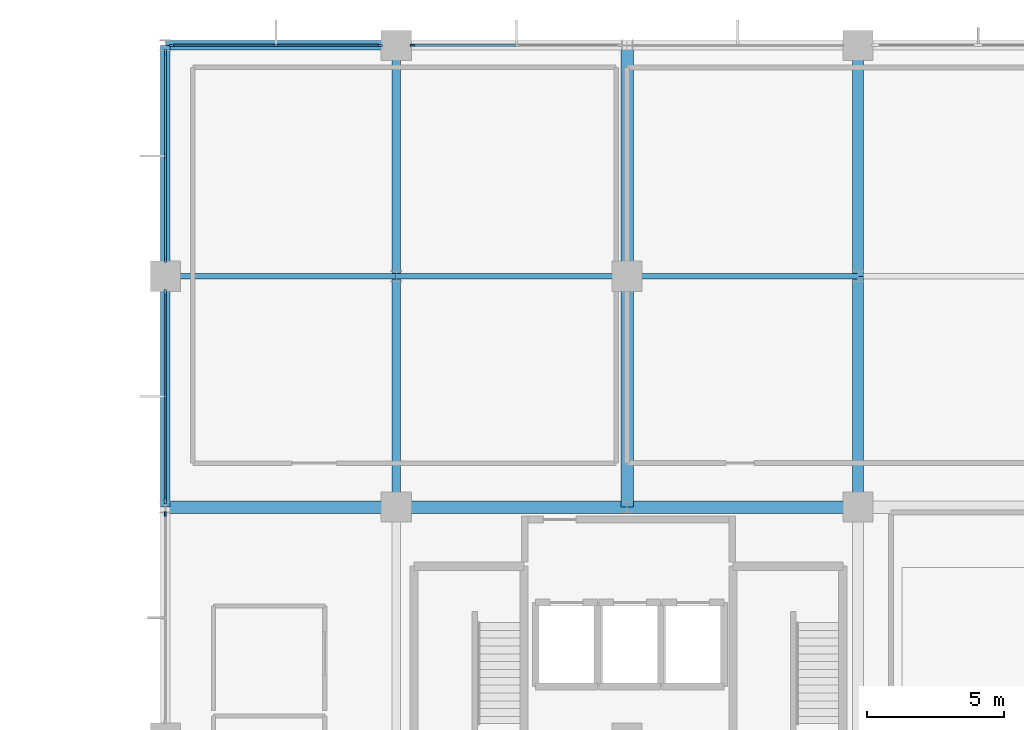
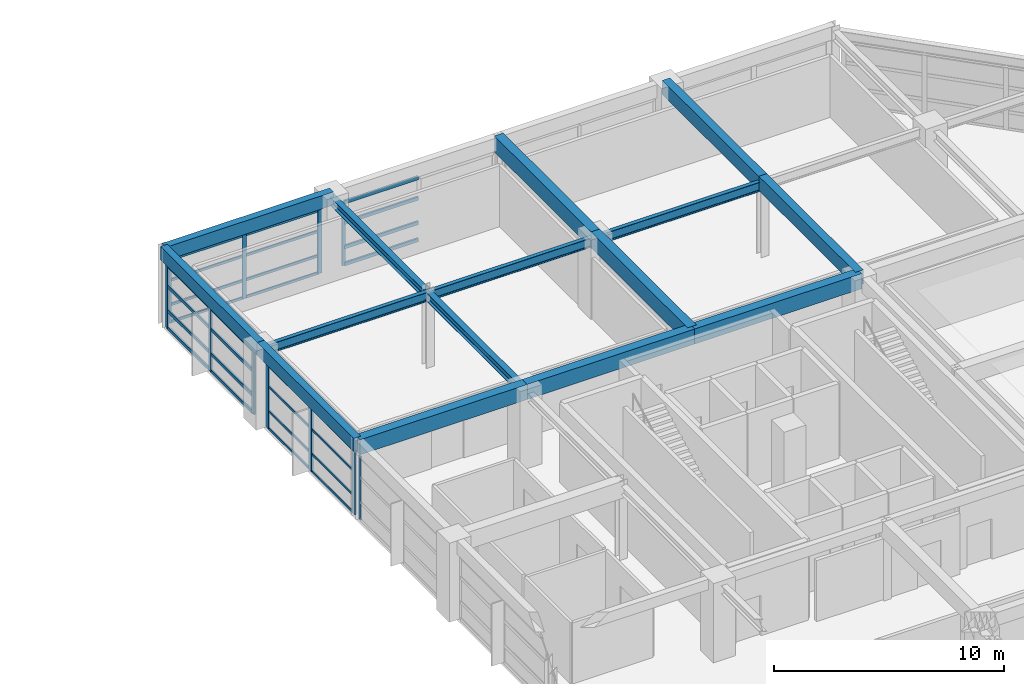
# One storey, part 9 of 18: 39 members, 15 beams, 5 elements without a shape of their own.
"""IFC4 building model written with IfcOpenShell, lengths in metres."""

from ifc_helpers import new_model, si_unit, direction, frame, origin, origin_2d, place, context, subcontext, project, spatial, rectangle, i_section, extrude, material, material_profile, profile_set, type_object, element, aggregate, save


model = new_model("IFC4")

# Units and contexts
model_context = context("Model", 3, precision=1e-05, world=origin(), true_north=direction((0.0, 1.0)))
body_context = subcontext(model_context, "Body", "Model", "MODEL_VIEW")
ifc_project = project(units=[si_unit("LENGTHUNIT", "METRE"), si_unit("AREAUNIT", "SQUARE_METRE"), si_unit("VOLUMEUNIT", "CUBIC_METRE"), si_unit("PLANEANGLEUNIT", "RADIAN"), si_unit("MASSUNIT", "GRAM", prefix="KILO")], contexts=[model_context])

# Site, building, storey
site_placement = place(None, origin())
site = spatial("IfcSite", under=ifc_project, at=site_placement, CompositionType="ELEMENT")
building_placement = place(site_placement, origin())
building = spatial("IfcBuilding", under=site, at=building_placement, Name="Xuanlan Plaza Opera House", CompositionType="ELEMENT")
storey_placement = place(building_placement, frame((0.0, 0.0, 32.10009765625)))
storey = spatial("IfcBuildingStorey", under=building, at=storey_placement, Name="L07", CompositionType="ELEMENT", Elevation=32.10009765625)

# Curtain wall, member
ifc_material_1 = material(Name="Anodised Aluminium 6063-T6 and Low-E Glass", Category="aluminium")
curtain_wall_type_1 = type_object("IfcCurtainWallType", Name="ENV-CW-CW-02", PredefinedType="USERDEFINED", material=ifc_material_1)
curtain_wall_1_placement = place(storey_placement, origin())
curtain_wall_1 = element("IfcCurtainWall", 1, at=curtain_wall_1_placement, inside=storey, type_object=curtain_wall_type_1, Name="Unitised Curtain Wall L07-017", ObjectType="UNITISED CURTAIN WALL", PredefinedType="USERDEFINED")
ifc_material_2 = material(Name="Anodised Aluminium 6063-T6", Category="aluminium")
ifc_material_profile_1 = material_profile(ifc_material_2, rectangle(XDim=0.06494140625, YDim=0.159912109375, at=origin_2d()), Name="ALU-M 65x160")
ifc_profile_set_1 = profile_set([ifc_material_profile_1], Name="Anodised Aluminium 6063-T6")
member_type_1 = type_object("IfcMemberType", Name="ENV-CWM-01", PredefinedType="MULLION", material=ifc_profile_set_1)
member_1_placement = place(storey_placement, frame((126.0, 66.947509765625, 0.0), z_axis=(0.0, 0.0, 1.0), x_axis=(1.0, 0.0, 0.0)))
member_1 = element("IfcMember", 2, at=member_1_placement, type_object=member_type_1, Name="CW-02 mullion 1", PredefinedType="MULLION", context=body_context, shape_type="SweptSolid", body=[
    extrude(rectangle(XDim=0.06494140625, YDim=0.159912109375, at=origin_2d()), origin(), (0.0, 0.0, 1.0), 3.3798828125),
])
aggregate(curtain_wall_1, [member_1])

curtain_wall_2_placement = place(storey_placement, origin())
curtain_wall_2 = element("IfcCurtainWall", 3, at=curtain_wall_2_placement, inside=storey, type_object=curtain_wall_type_1, Name="Unitised Curtain Wall L07-013", ObjectType="UNITISED CURTAIN WALL", PredefinedType="USERDEFINED")
ifc_material_profile_2 = material_profile(ifc_material_2, rectangle(XDim=0.070068359375, YDim=0.179931640625, at=origin_2d()), Name="ALU-M 70x180")
ifc_profile_set_2 = profile_set([ifc_material_profile_2], Name="Anodised Aluminium 6063-T6")
member_type_2 = type_object("IfcMemberType", Name="ENV-CWM-02", PredefinedType="MULLION", material=ifc_profile_set_2)
member_2_placement = place(storey_placement, frame((135.0048828125, 84.0, 0.0), z_axis=(0.0, 0.0, 1.0), x_axis=(0.0, -1.0, 0.0)))
member_2 = element("IfcMember", 4, at=member_2_placement, type_object=member_type_2, Name="CW-02 mullion 3", PredefinedType="MULLION", context=body_context, shape_type="SweptSolid", body=[
    extrude(rectangle(XDim=0.070068359375, YDim=0.179931640625, at=origin_2d()), origin(), (0.0, 0.0, 1.0), 3.3798828125),
])

# Curtain wall, members
curtain_wall_type_2 = type_object("IfcCurtainWallType", Name="ENV-CW-CW-03", PredefinedType="USERDEFINED", material=ifc_material_1)
curtain_wall_3_placement = place(storey_placement, origin())
curtain_wall_3 = element("IfcCurtainWall", 5, at=curtain_wall_3_placement, inside=storey, type_object=curtain_wall_type_2, Name="Unitised Curtain Wall L07-014", ObjectType="UNITISED CURTAIN WALL", PredefinedType="USERDEFINED")
ifc_material_profile_3 = material_profile(ifc_material_2, rectangle(XDim=0.074951171875, YDim=0.199951171875, at=origin_2d()), Name="ALU-M 75x200")
ifc_profile_set_3 = profile_set([ifc_material_profile_3], Name="Anodised Aluminium 6063-T6")
member_type_3 = type_object("IfcMemberType", Name="ENV-CWM-03", PredefinedType="MULLION", material=ifc_profile_set_3)
member_3_placement = place(storey_placement, frame((133.79248046875, 84.0, 0.0), z_axis=(0.0, 0.0, 1.0), x_axis=(0.0, -1.0, 0.0)))
member_3 = element("IfcMember", 6, at=member_3_placement, type_object=member_type_3, Name="CW-03 mullion 1", PredefinedType="MULLION", context=body_context, shape_type="SweptSolid", body=[
    extrude(rectangle(XDim=0.074951171875, YDim=0.199951171875, at=origin_2d()), origin(), (0.0, 0.0, 1.0), 3.3798828125),
])
member_4_placement = place(storey_placement, frame((130.02490234375, 84.0, 0.0), z_axis=(0.0, 0.0, 1.0), x_axis=(0.0, -1.0, 0.0)))
member_4 = element("IfcMember", 7, at=member_4_placement, type_object=member_type_3, Name="CW-03 mullion 2", PredefinedType="MULLION", context=body_context, shape_type="SweptSolid", body=[
    extrude(rectangle(XDim=0.074951171875, YDim=0.199951171875, at=origin_2d()), origin(), (0.0, 0.0, 1.0), 3.3798828125),
])
member_5_placement = place(storey_placement, frame((126.257568359375, 84.0, 0.0), z_axis=(0.0, 0.0, 1.0), x_axis=(0.0, -1.0, 0.0)))
member_5 = element("IfcMember", 8, at=member_5_placement, type_object=member_type_3, Name="CW-03 mullion 3", PredefinedType="MULLION", context=body_context, shape_type="SweptSolid", body=[
    extrude(rectangle(XDim=0.074951171875, YDim=0.199951171875, at=origin_2d()), origin(), (0.0, 0.0, 1.0), 3.3798828125),
])

curtain_wall_type_3 = type_object("IfcCurtainWallType", Name="ENV-CW-CW-04", PredefinedType="USERDEFINED", material=ifc_material_1)
curtain_wall_4_placement = place(storey_placement, origin())
curtain_wall_4 = element("IfcCurtainWall", 9, at=curtain_wall_4_placement, inside=storey, type_object=curtain_wall_type_3, Name="Unitised Curtain Wall L07-015", ObjectType="UNITISED CURTAIN WALL", PredefinedType="USERDEFINED")
ifc_material_profile_4 = material_profile(ifc_material_2, rectangle(XDim=0.080078125, YDim=0.219970703125, at=origin_2d()), Name="ALU-M 80x220")
ifc_profile_set_4 = profile_set([ifc_material_profile_4], Name="Anodised Aluminium 6063-T6")
member_type_4 = type_object("IfcMemberType", Name="ENV-CWM-04", PredefinedType="MULLION", material=ifc_profile_set_4)
member_6_placement = place(storey_placement, frame((126.0, 83.739990234375, 0.0), z_axis=(0.0, 0.0, 1.0), x_axis=(1.0, 0.0, 0.0)))
member_6 = element("IfcMember", 10, at=member_6_placement, type_object=member_type_4, Name="CW-04 mullion 1", PredefinedType="MULLION", context=body_context, shape_type="SweptSolid", body=[
    extrude(rectangle(XDim=0.080078125, YDim=0.219970703125, at=origin_2d()), origin(), (0.0, 0.0, 1.0), 3.3798828125),
])
member_7_placement = place(storey_placement, frame((126.0, 79.97509765625, 0.0), z_axis=(0.0, 0.0, 1.0), x_axis=(1.0, 0.0, 0.0)))
member_7 = element("IfcMember", 11, at=member_7_placement, type_object=member_type_4, Name="CW-04 mullion 2", PredefinedType="MULLION", context=body_context, shape_type="SweptSolid", body=[
    extrude(rectangle(XDim=0.080078125, YDim=0.219970703125, at=origin_2d()), origin(), (0.0, 0.0, 1.0), 3.3798828125),
])
member_8_placement = place(storey_placement, frame((126.0, 76.2099609375, 0.0), z_axis=(0.0, 0.0, 1.0), x_axis=(1.0, 0.0, 0.0)))
member_8 = element("IfcMember", 12, at=member_8_placement, type_object=member_type_4, Name="CW-04 mullion 3", PredefinedType="MULLION", context=body_context, shape_type="SweptSolid", body=[
    extrude(rectangle(XDim=0.080078125, YDim=0.219970703125, at=origin_2d()), origin(), (0.0, 0.0, 1.0), 3.3798828125),
])

curtain_wall_type_4 = type_object("IfcCurtainWallType", Name="ENV-CW-CW-01", PredefinedType="USERDEFINED", material=ifc_material_1)
curtain_wall_5_placement = place(storey_placement, origin())
curtain_wall_5 = element("IfcCurtainWall", 13, at=curtain_wall_5_placement, inside=storey, type_object=curtain_wall_type_4, Name="Unitised Curtain Wall L07-016", ObjectType="UNITISED CURTAIN WALL", PredefinedType="USERDEFINED")
ifc_material_profile_5 = material_profile(ifc_material_2, rectangle(XDim=0.090087890625, YDim=0.25, at=origin_2d()), Name="ALU-M 90x250")
ifc_profile_set_5 = profile_set([ifc_material_profile_5], Name="Anodised Aluminium 6063-T6")
member_type_5 = type_object("IfcMemberType", Name="ENV-CWM-05", PredefinedType="MULLION", material=ifc_profile_set_5)
member_9_placement = place(storey_placement, frame((126.0, 74.985107421875, 0.0), z_axis=(0.0, 0.0, 1.0), x_axis=(1.0, 0.0, 0.0)))
member_9 = element("IfcMember", 14, at=member_9_placement, type_object=member_type_5, Name="CW-01 mullion 1", PredefinedType="MULLION", context=body_context, shape_type="SweptSolid", body=[
    extrude(rectangle(XDim=0.090087890625, YDim=0.25, at=origin_2d()), origin(), (0.0, 0.0, 1.0), 3.3798828125),
])
member_10_placement = place(storey_placement, frame((126.0, 71.22509765625, 0.0), z_axis=(0.0, 0.0, 1.0), x_axis=(1.0, 0.0, 0.0)))
member_10 = element("IfcMember", 15, at=member_10_placement, type_object=member_type_5, Name="CW-01 mullion 2", PredefinedType="MULLION", context=body_context, shape_type="SweptSolid", body=[
    extrude(rectangle(XDim=0.090087890625, YDim=0.25, at=origin_2d()), origin(), (0.0, 0.0, 1.0), 3.3798828125),
])
member_11_placement = place(storey_placement, frame((126.0, 67.465087890625, 0.0), z_axis=(0.0, 0.0, 1.0), x_axis=(1.0, 0.0, 0.0)))
member_11 = element("IfcMember", 16, at=member_11_placement, type_object=member_type_5, Name="CW-01 mullion 3", PredefinedType="MULLION", context=body_context, shape_type="SweptSolid", body=[
    extrude(rectangle(XDim=0.090087890625, YDim=0.25, at=origin_2d()), origin(), (0.0, 0.0, 1.0), 3.3798828125),
])
ifc_material_profile_6 = material_profile(ifc_material_2, rectangle(XDim=0.06494140625, YDim=0.1201171875, at=origin_2d()), Name="ALU-T 65x120")
ifc_profile_set_6 = profile_set([ifc_material_profile_6], Name="Anodised Aluminium 6063-T6")
member_type_6 = type_object("IfcMemberType", Name="ENV-CWT-01", PredefinedType="USERDEFINED", material=ifc_profile_set_6)
member_12_placement = place(storey_placement, frame((126.0, 74.93994140625, 0.032470703125), z_axis=(0.0, -1.0, 0.0), x_axis=(1.0, 0.0, 0.0)))
member_12 = element("IfcMember", 17, at=member_12_placement, type_object=member_type_6, Name="CW-01 transom 1.1", ObjectType="TRANSOM", PredefinedType="USERDEFINED", context=body_context, shape_type="SweptSolid", body=[
    extrude(rectangle(XDim=0.06494140625, YDim=0.1201171875, at=origin_2d()), origin(), (0.0, 0.0, 1.0), 3.669921875),
])
member_13_placement = place(storey_placement, frame((126.0, 74.93994140625, 0.949951171875), z_axis=(0.0, -1.0, 0.0), x_axis=(1.0, 0.0, 0.0)))
member_13 = element("IfcMember", 18, at=member_13_placement, type_object=member_type_6, Name="CW-01 transom 1.2", ObjectType="TRANSOM", PredefinedType="USERDEFINED", context=body_context, shape_type="SweptSolid", body=[
    extrude(rectangle(XDim=0.06494140625, YDim=0.1201171875, at=origin_2d()), origin(), (0.0, 0.0, 1.0), 3.669921875),
])
member_14_placement = place(storey_placement, frame((126.0, 74.93994140625, 2.25), z_axis=(0.0, -1.0, 0.0), x_axis=(1.0, 0.0, 0.0)))
member_14 = element("IfcMember", 19, at=member_14_placement, type_object=member_type_6, Name="CW-01 transom 1.3", ObjectType="TRANSOM", PredefinedType="USERDEFINED", context=body_context, shape_type="SweptSolid", body=[
    extrude(rectangle(XDim=0.06494140625, YDim=0.1201171875, at=origin_2d()), origin(), (0.0, 0.0, 1.0), 3.669921875),
])
member_15_placement = place(storey_placement, frame((126.0, 74.93994140625, 3.347412109375), z_axis=(0.0, -1.0, 0.0), x_axis=(1.0, 0.0, 0.0)))
member_15 = element("IfcMember", 20, at=member_15_placement, type_object=member_type_6, Name="CW-01 transom 1.4", ObjectType="TRANSOM", PredefinedType="USERDEFINED", context=body_context, shape_type="SweptSolid", body=[
    extrude(rectangle(XDim=0.06494140625, YDim=0.1201171875, at=origin_2d()), origin(), (0.0, 0.0, 1.0), 3.669921875),
])
member_16_placement = place(storey_placement, frame((126.0, 71.179931640625, 0.032470703125), z_axis=(0.0, -1.0, 0.0), x_axis=(1.0, 0.0, 0.0)))
member_16 = element("IfcMember", 21, at=member_16_placement, type_object=member_type_6, Name="CW-01 transom 2.1", ObjectType="TRANSOM", PredefinedType="USERDEFINED", context=body_context, shape_type="SweptSolid", body=[
    extrude(rectangle(XDim=0.06494140625, YDim=0.1201171875, at=origin_2d()), origin(), (0.0, 0.0, 1.0), 3.669921875),
])
member_17_placement = place(storey_placement, frame((126.0, 71.179931640625, 0.949951171875), z_axis=(0.0, -1.0, 0.0), x_axis=(1.0, 0.0, 0.0)))
member_17 = element("IfcMember", 22, at=member_17_placement, type_object=member_type_6, Name="CW-01 transom 2.2", ObjectType="TRANSOM", PredefinedType="USERDEFINED", context=body_context, shape_type="SweptSolid", body=[
    extrude(rectangle(XDim=0.06494140625, YDim=0.1201171875, at=origin_2d()), origin(), (0.0, 0.0, 1.0), 3.669921875),
])
member_18_placement = place(storey_placement, frame((126.0, 71.179931640625, 2.25), z_axis=(0.0, -1.0, 0.0), x_axis=(1.0, 0.0, 0.0)))
member_18 = element("IfcMember", 23, at=member_18_placement, type_object=member_type_6, Name="CW-01 transom 2.3", ObjectType="TRANSOM", PredefinedType="USERDEFINED", context=body_context, shape_type="SweptSolid", body=[
    extrude(rectangle(XDim=0.06494140625, YDim=0.1201171875, at=origin_2d()), origin(), (0.0, 0.0, 1.0), 3.669921875),
])
member_19_placement = place(storey_placement, frame((126.0, 71.179931640625, 3.347412109375), z_axis=(0.0, -1.0, 0.0), x_axis=(1.0, 0.0, 0.0)))
member_19 = element("IfcMember", 24, at=member_19_placement, type_object=member_type_6, Name="CW-01 transom 2.4", ObjectType="TRANSOM", PredefinedType="USERDEFINED", context=body_context, shape_type="SweptSolid", body=[
    extrude(rectangle(XDim=0.06494140625, YDim=0.1201171875, at=origin_2d()), origin(), (0.0, 0.0, 1.0), 3.669921875),
])
aggregate(curtain_wall_5, [member_9, member_10, member_11, member_12, member_13, member_14, member_15, member_16, member_17, member_18, member_19])

# Member
ifc_material_profile_7 = material_profile(ifc_material_2, rectangle(XDim=0.070068359375, YDim=0.135009765625, at=origin_2d()), Name="ALU-T 70x135")
ifc_profile_set_7 = profile_set([ifc_material_profile_7], Name="Anodised Aluminium 6063-T6")
member_type_7 = type_object("IfcMemberType", Name="ENV-CWT-02", PredefinedType="USERDEFINED", material=ifc_profile_set_7)
member_20_placement = place(storey_placement, frame((133.7548828125, 84.0, 0.034912109375), z_axis=(-1.0, 0.0, 0.0), x_axis=(0.0, -1.0, 0.0)))
member_20 = element("IfcMember", 25, at=member_20_placement, type_object=member_type_7, Name="CW-03 transom 1.1", ObjectType="TRANSOM", PredefinedType="USERDEFINED", context=body_context, shape_type="SweptSolid", body=[
    extrude(rectangle(XDim=0.070068359375, YDim=0.135009765625, at=origin_2d()), origin(), (0.0, 0.0, 1.0), 3.6923828125),
])

member_21_placement = place(storey_placement, frame((133.7548828125, 84.0, 0.949951171875), z_axis=(-1.0, 0.0, 0.0), x_axis=(0.0, -1.0, 0.0)))
member_21 = element("IfcMember", 26, at=member_21_placement, type_object=member_type_7, Name="CW-03 transom 1.2", ObjectType="TRANSOM", PredefinedType="USERDEFINED", context=body_context, shape_type="SweptSolid", body=[
    extrude(rectangle(XDim=0.070068359375, YDim=0.135009765625, at=origin_2d()), origin(), (0.0, 0.0, 1.0), 3.6923828125),
])

member_22_placement = place(storey_placement, frame((133.7548828125, 84.0, 2.25), z_axis=(-1.0, 0.0, 0.0), x_axis=(0.0, -1.0, 0.0)))
member_22 = element("IfcMember", 27, at=member_22_placement, type_object=member_type_7, Name="CW-03 transom 1.3", ObjectType="TRANSOM", PredefinedType="USERDEFINED", context=body_context, shape_type="SweptSolid", body=[
    extrude(rectangle(XDim=0.070068359375, YDim=0.135009765625, at=origin_2d()), origin(), (0.0, 0.0, 1.0), 3.6923828125),
])

member_23_placement = place(storey_placement, frame((133.7548828125, 84.0, 3.344970703125), z_axis=(-1.0, 0.0, 0.0), x_axis=(0.0, -1.0, 0.0)))
member_23 = element("IfcMember", 28, at=member_23_placement, type_object=member_type_7, Name="CW-03 transom 1.4", ObjectType="TRANSOM", PredefinedType="USERDEFINED", context=body_context, shape_type="SweptSolid", body=[
    extrude(rectangle(XDim=0.070068359375, YDim=0.135009765625, at=origin_2d()), origin(), (0.0, 0.0, 1.0), 3.6923828125),
])

member_24_placement = place(storey_placement, frame((129.987548828125, 84.0, 0.034912109375), z_axis=(-1.0, 0.0, 0.0), x_axis=(0.0, -1.0, 0.0)))
member_24 = element("IfcMember", 29, at=member_24_placement, type_object=member_type_7, Name="CW-03 transom 2.1", ObjectType="TRANSOM", PredefinedType="USERDEFINED", context=body_context, shape_type="SweptSolid", body=[
    extrude(rectangle(XDim=0.070068359375, YDim=0.135009765625, at=origin_2d()), origin(), (0.0, 0.0, 1.0), 3.692626953125),
])

member_25_placement = place(storey_placement, frame((129.987548828125, 84.0, 0.949951171875), z_axis=(-1.0, 0.0, 0.0), x_axis=(0.0, -1.0, 0.0)))
member_25 = element("IfcMember", 30, at=member_25_placement, type_object=member_type_7, Name="CW-03 transom 2.2", ObjectType="TRANSOM", PredefinedType="USERDEFINED", context=body_context, shape_type="SweptSolid", body=[
    extrude(rectangle(XDim=0.070068359375, YDim=0.135009765625, at=origin_2d()), origin(), (0.0, 0.0, 1.0), 3.692626953125),
])

member_26_placement = place(storey_placement, frame((129.987548828125, 84.0, 2.25), z_axis=(-1.0, 0.0, 0.0), x_axis=(0.0, -1.0, 0.0)))
member_26 = element("IfcMember", 31, at=member_26_placement, type_object=member_type_7, Name="CW-03 transom 2.3", ObjectType="TRANSOM", PredefinedType="USERDEFINED", context=body_context, shape_type="SweptSolid", body=[
    extrude(rectangle(XDim=0.070068359375, YDim=0.135009765625, at=origin_2d()), origin(), (0.0, 0.0, 1.0), 3.692626953125),
])

member_27_placement = place(storey_placement, frame((129.987548828125, 84.0, 3.344970703125), z_axis=(-1.0, 0.0, 0.0), x_axis=(0.0, -1.0, 0.0)))
member_27 = element("IfcMember", 32, at=member_27_placement, type_object=member_type_7, Name="CW-03 transom 2.4", ObjectType="TRANSOM", PredefinedType="USERDEFINED", context=body_context, shape_type="SweptSolid", body=[
    extrude(rectangle(XDim=0.070068359375, YDim=0.135009765625, at=origin_2d()), origin(), (0.0, 0.0, 1.0), 3.692626953125),
])

aggregate(curtain_wall_3, [member_3, member_4, member_5, member_20, member_21, member_22, member_23, member_24, member_25, member_26, member_27])

ifc_material_profile_8 = material_profile(ifc_material_2, rectangle(XDim=0.080078125, YDim=0.1650390625, at=origin_2d()), Name="ALU-T 80x165")
ifc_profile_set_8 = profile_set([ifc_material_profile_8], Name="Anodised Aluminium 6063-T6")
member_type_8 = type_object("IfcMemberType", Name="ENV-CWT-04", PredefinedType="USERDEFINED", material=ifc_profile_set_8)
member_28_placement = place(storey_placement, frame((126.0, 83.699951171875, 0.039794921875), z_axis=(0.0, -1.0, 0.0), x_axis=(1.0, 0.0, 0.0)))
member_28 = element("IfcMember", 33, at=member_28_placement, type_object=member_type_8, Name="CW-04 transom 1.1", ObjectType="TRANSOM", PredefinedType="USERDEFINED", context=body_context, shape_type="SweptSolid", body=[
    extrude(rectangle(XDim=0.080078125, YDim=0.1650390625, at=origin_2d()), origin(), (0.0, 0.0, 1.0), 3.68505859375),
])

member_29_placement = place(storey_placement, frame((126.0, 83.699951171875, 0.949951171875), z_axis=(0.0, -1.0, 0.0), x_axis=(1.0, 0.0, 0.0)))
member_29 = element("IfcMember", 34, at=member_29_placement, type_object=member_type_8, Name="CW-04 transom 1.2", ObjectType="TRANSOM", PredefinedType="USERDEFINED", context=body_context, shape_type="SweptSolid", body=[
    extrude(rectangle(XDim=0.080078125, YDim=0.1650390625, at=origin_2d()), origin(), (0.0, 0.0, 1.0), 3.68505859375),
])

member_30_placement = place(storey_placement, frame((126.0, 83.699951171875, 2.25), z_axis=(0.0, -1.0, 0.0), x_axis=(1.0, 0.0, 0.0)))
member_30 = element("IfcMember", 35, at=member_30_placement, type_object=member_type_8, Name="CW-04 transom 1.3", ObjectType="TRANSOM", PredefinedType="USERDEFINED", context=body_context, shape_type="SweptSolid", body=[
    extrude(rectangle(XDim=0.080078125, YDim=0.1650390625, at=origin_2d()), origin(), (0.0, 0.0, 1.0), 3.68505859375),
])

member_31_placement = place(storey_placement, frame((126.0, 83.699951171875, 3.33984375), z_axis=(0.0, -1.0, 0.0), x_axis=(1.0, 0.0, 0.0)))
member_31 = element("IfcMember", 36, at=member_31_placement, type_object=member_type_8, Name="CW-04 transom 1.4", ObjectType="TRANSOM", PredefinedType="USERDEFINED", context=body_context, shape_type="SweptSolid", body=[
    extrude(rectangle(XDim=0.080078125, YDim=0.1650390625, at=origin_2d()), origin(), (0.0, 0.0, 1.0), 3.68505859375),
])

member_32_placement = place(storey_placement, frame((126.0, 79.93505859375, 0.039794921875), z_axis=(0.0, -1.0, 0.0), x_axis=(1.0, 0.0, 0.0)))
member_32 = element("IfcMember", 37, at=member_32_placement, type_object=member_type_8, Name="CW-04 transom 2.1", ObjectType="TRANSOM", PredefinedType="USERDEFINED", context=body_context, shape_type="SweptSolid", body=[
    extrude(rectangle(XDim=0.080078125, YDim=0.1650390625, at=origin_2d()), origin(), (0.0, 0.0, 1.0), 3.68505859375),
])

member_33_placement = place(storey_placement, frame((126.0, 79.93505859375, 0.949951171875), z_axis=(0.0, -1.0, 0.0), x_axis=(1.0, 0.0, 0.0)))
member_33 = element("IfcMember", 38, at=member_33_placement, type_object=member_type_8, Name="CW-04 transom 2.2", ObjectType="TRANSOM", PredefinedType="USERDEFINED", context=body_context, shape_type="SweptSolid", body=[
    extrude(rectangle(XDim=0.080078125, YDim=0.1650390625, at=origin_2d()), origin(), (0.0, 0.0, 1.0), 3.68505859375),
])

member_34_placement = place(storey_placement, frame((126.0, 79.93505859375, 2.25), z_axis=(0.0, -1.0, 0.0), x_axis=(1.0, 0.0, 0.0)))
member_34 = element("IfcMember", 39, at=member_34_placement, type_object=member_type_8, Name="CW-04 transom 2.3", ObjectType="TRANSOM", PredefinedType="USERDEFINED", context=body_context, shape_type="SweptSolid", body=[
    extrude(rectangle(XDim=0.080078125, YDim=0.1650390625, at=origin_2d()), origin(), (0.0, 0.0, 1.0), 3.68505859375),
])

member_35_placement = place(storey_placement, frame((126.0, 79.93505859375, 3.33984375), z_axis=(0.0, -1.0, 0.0), x_axis=(1.0, 0.0, 0.0)))
member_35 = element("IfcMember", 40, at=member_35_placement, type_object=member_type_8, Name="CW-04 transom 2.4", ObjectType="TRANSOM", PredefinedType="USERDEFINED", context=body_context, shape_type="SweptSolid", body=[
    extrude(rectangle(XDim=0.080078125, YDim=0.1650390625, at=origin_2d()), origin(), (0.0, 0.0, 1.0), 3.68505859375),
])

aggregate(curtain_wall_4, [member_6, member_7, member_8, member_28, member_29, member_30, member_31, member_32, member_33, member_34, member_35])

ifc_material_profile_9 = material_profile(ifc_material_2, rectangle(XDim=0.090087890625, YDim=0.179931640625, at=origin_2d()), Name="ALU-T 90x180")
ifc_profile_set_9 = profile_set([ifc_material_profile_9], Name="Anodised Aluminium 6063-T6")
member_type_9 = type_object("IfcMemberType", Name="ENV-CWT-05", PredefinedType="USERDEFINED", material=ifc_profile_set_9)
member_36_placement = place(storey_placement, frame((138.739990234375, 84.0, 0.044921875), z_axis=(-1.0, 0.0, 0.0), x_axis=(0.0, -1.0, 0.0)))
member_36 = element("IfcMember", 41, at=member_36_placement, type_object=member_type_9, Name="CW-02 transom 2.1", ObjectType="TRANSOM", PredefinedType="USERDEFINED", context=body_context, shape_type="SweptSolid", body=[
    extrude(rectangle(XDim=0.090087890625, YDim=0.179931640625, at=origin_2d()), origin(), (0.0, 0.0, 1.0), 3.699951171875),
])

member_37_placement = place(storey_placement, frame((138.739990234375, 84.0, 0.949951171875), z_axis=(-1.0, 0.0, 0.0), x_axis=(0.0, -1.0, 0.0)))
member_37 = element("IfcMember", 42, at=member_37_placement, type_object=member_type_9, Name="CW-02 transom 2.2", ObjectType="TRANSOM", PredefinedType="USERDEFINED", context=body_context, shape_type="SweptSolid", body=[
    extrude(rectangle(XDim=0.090087890625, YDim=0.179931640625, at=origin_2d()), origin(), (0.0, 0.0, 1.0), 3.699951171875),
])

member_38_placement = place(storey_placement, frame((138.739990234375, 84.0, 2.25), z_axis=(-1.0, 0.0, 0.0), x_axis=(0.0, -1.0, 0.0)))
member_38 = element("IfcMember", 43, at=member_38_placement, type_object=member_type_9, Name="CW-02 transom 2.3", ObjectType="TRANSOM", PredefinedType="USERDEFINED", context=body_context, shape_type="SweptSolid", body=[
    extrude(rectangle(XDim=0.090087890625, YDim=0.179931640625, at=origin_2d()), origin(), (0.0, 0.0, 1.0), 3.699951171875),
])

member_39_placement = place(storey_placement, frame((138.739990234375, 84.0, 3.3349609375), z_axis=(-1.0, 0.0, 0.0), x_axis=(0.0, -1.0, 0.0)))
member_39 = element("IfcMember", 44, at=member_39_placement, type_object=member_type_9, Name="CW-02 transom 2.4", ObjectType="TRANSOM", PredefinedType="USERDEFINED", context=body_context, shape_type="SweptSolid", body=[
    extrude(rectangle(XDim=0.090087890625, YDim=0.179931640625, at=origin_2d()), origin(), (0.0, 0.0, 1.0), 3.699951171875),
])

aggregate(curtain_wall_2, [member_2, member_36, member_37, member_38, member_39])

# Beams
ifc_material_3 = material(Name="Concrete C40", Category="concrete")
ifc_material_profile_10 = material_profile(ifc_material_3, rectangle(XDim=0.449951171875, YDim=0.85009765625, at=origin_2d()), Name="RC-BM 450x850")
ifc_profile_set_10 = profile_set([ifc_material_profile_10], Name="Concrete C40")
beam_type_1 = type_object("IfcBeamType", Name="STR-BM-B-04", PredefinedType="BEAM", material=ifc_profile_set_10)
beam_1_placement = place(storey_placement, frame((142.800048828125, 67.199951171875, 3.77490234375), z_axis=(0.0, 1.0, 0.0), x_axis=(-1.0, 0.0, 0.0)))
element("IfcBeam", 45, at=beam_1_placement, inside=storey, type_object=beam_type_1, Name="Grid Beam Y L07 18/I-J", PredefinedType="BEAM", context=body_context, shape_type="SweptSolid", body=[
    extrude(rectangle(XDim=0.449951171875, YDim=0.85009765625, at=origin_2d()), origin(), (0.0, 0.0, 1.0), 8.400146484375),
])
beam_2_placement = place(storey_placement, frame((142.800048828125, 75.60009765625, 3.77490234375), z_axis=(0.0, 1.0, 0.0), x_axis=(-1.0, 0.0, 0.0)))
element("IfcBeam", 46, at=beam_2_placement, inside=storey, type_object=beam_type_1, Name="Grid Beam Y L07 18/J-K", PredefinedType="BEAM", context=body_context, shape_type="SweptSolid", body=[
    extrude(rectangle(XDim=0.449951171875, YDim=0.85009765625, at=origin_2d()), origin(), (0.0, 0.0, 1.0), 8.39990234375),
])
ifc_material_profile_11 = material_profile(ifc_material_3, rectangle(XDim=0.449951171875, YDim=0.800048828125, at=origin_2d()), Name="RC-BM 450x800")
ifc_profile_set_11 = profile_set([ifc_material_profile_11], Name="Concrete C40")
beam_type_2 = type_object("IfcBeamType", Name="STR-BM-B-05", PredefinedType="BEAM", material=ifc_profile_set_11)
beam_3_placement = place(storey_placement, frame((126.0, 67.199951171875, 3.7998046875), z_axis=(1.0, 0.0, 0.0), x_axis=(0.0, 1.0, 0.0)))
element("IfcBeam", 47, at=beam_3_placement, inside=storey, type_object=beam_type_2, Name="Grid Beam X L07 16-17/I", PredefinedType="BEAM", context=body_context, shape_type="SweptSolid", body=[
    extrude(rectangle(XDim=0.449951171875, YDim=0.800048828125, at=origin_2d()), origin(), (0.0, 0.0, 1.0), 8.39990234375),
])
beam_4_placement = place(storey_placement, frame((134.39990234375, 67.199951171875, 3.7998046875), z_axis=(1.0, 0.0, 0.0), x_axis=(0.0, 1.0, 0.0)))
element("IfcBeam", 48, at=beam_4_placement, inside=storey, type_object=beam_type_2, Name="Grid Beam X L07 17-18/I", PredefinedType="BEAM", context=body_context, shape_type="SweptSolid", body=[
    extrude(rectangle(XDim=0.449951171875, YDim=0.800048828125, at=origin_2d()), origin(), (0.0, 0.0, 1.0), 8.400146484375),
])
beam_5_placement = place(storey_placement, frame((142.800048828125, 67.199951171875, 3.7998046875), z_axis=(1.0, 0.0, 0.0), x_axis=(0.0, 1.0, 0.0)))
element("IfcBeam", 49, at=beam_5_placement, inside=storey, type_object=beam_type_2, Name="Grid Beam X L07 18-19/I", PredefinedType="BEAM", context=body_context, shape_type="SweptSolid", body=[
    extrude(rectangle(XDim=0.449951171875, YDim=0.800048828125, at=origin_2d()), origin(), (0.0, 0.0, 1.0), 8.39990234375),
])
ifc_material_profile_12 = material_profile(ifc_material_3, rectangle(XDim=0.39990234375, YDim=0.75, at=origin_2d()), Name="RC-BM 400x750")
ifc_profile_set_12 = profile_set([ifc_material_profile_12], Name="Concrete C40")
beam_type_3 = type_object("IfcBeamType", Name="STR-BM-B-06", PredefinedType="BEAM", material=ifc_profile_set_12)
beam_6_placement = place(storey_placement, frame((151.199951171875, 67.199951171875, 3.824951171875), z_axis=(0.0, 1.0, 0.0), x_axis=(-1.0, 0.0, 0.0)))
element("IfcBeam", 50, at=beam_6_placement, inside=storey, type_object=beam_type_3, Name="Grid Beam Y L07 19/I-J", PredefinedType="BEAM", context=body_context, shape_type="SweptSolid", body=[
    extrude(rectangle(XDim=0.39990234375, YDim=0.75, at=origin_2d()), origin(), (0.0, 0.0, 1.0), 8.400146484375),
])
beam_7_placement = place(storey_placement, frame((151.199951171875, 75.60009765625, 3.824951171875), z_axis=(0.0, 1.0, 0.0), x_axis=(-1.0, 0.0, 0.0)))
element("IfcBeam", 51, at=beam_7_placement, inside=storey, type_object=beam_type_3, Name="Grid Beam Y L07 19/J-K", PredefinedType="BEAM", context=body_context, shape_type="SweptSolid", body=[
    extrude(rectangle(XDim=0.39990234375, YDim=0.75, at=origin_2d()), origin(), (0.0, 0.0, 1.0), 8.39990234375),
])
ifc_material_4 = material(Name="Steel Q355B", Category="steel")
ifc_material_profile_13 = material_profile(ifc_material_4, i_section(OverallWidth=0.199951171875, OverallDepth=0.5, WebThickness=0.010009765625, FlangeThickness=0.01611328125, FilletRadius=0.02001953125, at=origin_2d()), Name="HN 500x200x10x16")
ifc_profile_set_13 = profile_set([ifc_material_profile_13], Name="Steel Q355B")
beam_type_4 = type_object("IfcBeamType", Name="STR-BM-SB-05", PredefinedType="BEAM", material=ifc_profile_set_13)
beam_8_placement = place(storey_placement, frame((126.0, 75.60009765625, 3.704833984375), z_axis=(1.0, 0.0, 0.0), x_axis=(0.0, 1.0, 0.0)))
element("IfcBeam", 52, at=beam_8_placement, inside=storey, type_object=beam_type_4, Name="Grid Beam X L07 16-17/J", PredefinedType="BEAM", context=body_context, shape_type="SweptSolid", body=[
    extrude(i_section(OverallWidth=0.199951171875, OverallDepth=0.5, WebThickness=0.010009765625, FlangeThickness=0.01611328125, FilletRadius=0.02001953125, at=origin_2d()), origin(), (0.0, 0.0, 1.0), 8.39990234375),
])
beam_9_placement = place(storey_placement, frame((134.39990234375, 75.60009765625, 3.704833984375), z_axis=(1.0, 0.0, 0.0), x_axis=(0.0, 1.0, 0.0)))
element("IfcBeam", 53, at=beam_9_placement, inside=storey, type_object=beam_type_4, Name="Grid Beam X L07 17-18/J", PredefinedType="BEAM", context=body_context, shape_type="SweptSolid", body=[
    extrude(i_section(OverallWidth=0.199951171875, OverallDepth=0.5, WebThickness=0.010009765625, FlangeThickness=0.01611328125, FilletRadius=0.02001953125, at=origin_2d()), origin(), (0.0, 0.0, 1.0), 8.400146484375),
])
beam_10_placement = place(storey_placement, frame((142.800048828125, 75.60009765625, 3.704833984375), z_axis=(1.0, 0.0, 0.0), x_axis=(0.0, 1.0, 0.0)))
element("IfcBeam", 54, at=beam_10_placement, inside=storey, type_object=beam_type_4, Name="Grid Beam X L07 18-19/J", PredefinedType="BEAM", context=body_context, shape_type="SweptSolid", body=[
    extrude(i_section(OverallWidth=0.199951171875, OverallDepth=0.5, WebThickness=0.010009765625, FlangeThickness=0.01611328125, FilletRadius=0.02001953125, at=origin_2d()), origin(), (0.0, 0.0, 1.0), 8.39990234375),
])
ifc_material_profile_14 = material_profile(ifc_material_4, i_section(OverallWidth=0.300048828125, OverallDepth=0.43994140625, WebThickness=0.010986328125, FlangeThickness=0.01806640625, FilletRadius=0.02001953125, at=origin_2d()), Name="HM 440x300x11x18")
ifc_profile_set_14 = profile_set([ifc_material_profile_14], Name="Steel Q355B")
beam_type_5 = type_object("IfcBeamType", Name="STR-BM-SB-08", PredefinedType="BEAM", material=ifc_profile_set_14)
beam_11_placement = place(storey_placement, frame((134.39990234375, 67.199951171875, 3.73486328125), z_axis=(0.0, 1.0, 0.0), x_axis=(-1.0, 0.0, 0.0)))
element("IfcBeam", 55, at=beam_11_placement, inside=storey, type_object=beam_type_5, Name="Grid Beam Y L07 17/I-J", PredefinedType="BEAM", context=body_context, shape_type="SweptSolid", body=[
    extrude(i_section(OverallWidth=0.300048828125, OverallDepth=0.43994140625, WebThickness=0.010986328125, FlangeThickness=0.01806640625, FilletRadius=0.02001953125, at=origin_2d()), origin(), (0.0, 0.0, 1.0), 8.400146484375),
])
beam_12_placement = place(storey_placement, frame((134.39990234375, 75.60009765625, 3.73486328125), z_axis=(0.0, 1.0, 0.0), x_axis=(-1.0, 0.0, 0.0)))
element("IfcBeam", 56, at=beam_12_placement, inside=storey, type_object=beam_type_5, Name="Grid Beam Y L07 17/J-K", PredefinedType="BEAM", context=body_context, shape_type="SweptSolid", body=[
    extrude(i_section(OverallWidth=0.300048828125, OverallDepth=0.43994140625, WebThickness=0.010986328125, FlangeThickness=0.01806640625, FilletRadius=0.02001953125, at=origin_2d()), origin(), (0.0, 0.0, 1.0), 8.39990234375),
])
ifc_material_profile_15 = material_profile(ifc_material_3, rectangle(XDim=0.35009765625, YDim=0.699951171875, at=origin_2d()), Name="RC-SPD 350x700")
ifc_profile_set_15 = profile_set([ifc_material_profile_15], Name="Concrete C40")
beam_type_6 = type_object("IfcBeamType", Name="STR-BM-SP-02", PredefinedType="SPANDREL", material=ifc_profile_set_15)
beam_13_placement = place(storey_placement, frame((126.0, 84.0, 3.849853515625), z_axis=(1.0, 0.0, 0.0), x_axis=(0.0, 1.0, 0.0)))
element("IfcBeam", 57, at=beam_13_placement, inside=storey, type_object=beam_type_6, Name="Grid Beam X L07 16-17/K", PredefinedType="SPANDREL", context=body_context, shape_type="SweptSolid", body=[
    extrude(rectangle(XDim=0.35009765625, YDim=0.699951171875, at=origin_2d()), origin(), (0.0, 0.0, 1.0), 8.39990234375),
])
beam_14_placement = place(storey_placement, frame((126.0, 67.199951171875, 3.849853515625), z_axis=(0.0, 1.0, 0.0), x_axis=(-1.0, 0.0, 0.0)))
element("IfcBeam", 58, at=beam_14_placement, inside=storey, type_object=beam_type_6, Name="Grid Beam Y L07 16/I-J", PredefinedType="SPANDREL", context=body_context, shape_type="SweptSolid", body=[
    extrude(rectangle(XDim=0.35009765625, YDim=0.699951171875, at=origin_2d()), origin(), (0.0, 0.0, 1.0), 8.400146484375),
])
beam_15_placement = place(storey_placement, frame((126.0, 75.60009765625, 3.849853515625), z_axis=(0.0, 1.0, 0.0), x_axis=(-1.0, 0.0, 0.0)))
element("IfcBeam", 59, at=beam_15_placement, inside=storey, type_object=beam_type_6, Name="Grid Beam Y L07 16/J-K", PredefinedType="SPANDREL", context=body_context, shape_type="SweptSolid", body=[
    extrude(rectangle(XDim=0.35009765625, YDim=0.699951171875, at=origin_2d()), origin(), (0.0, 0.0, 1.0), 8.39990234375),
])

save(model, "model.ifc")
